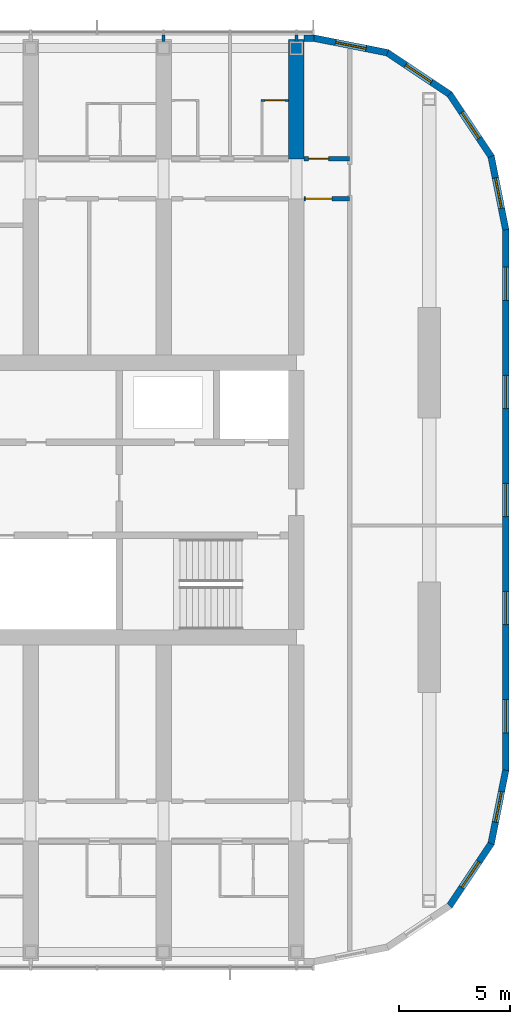
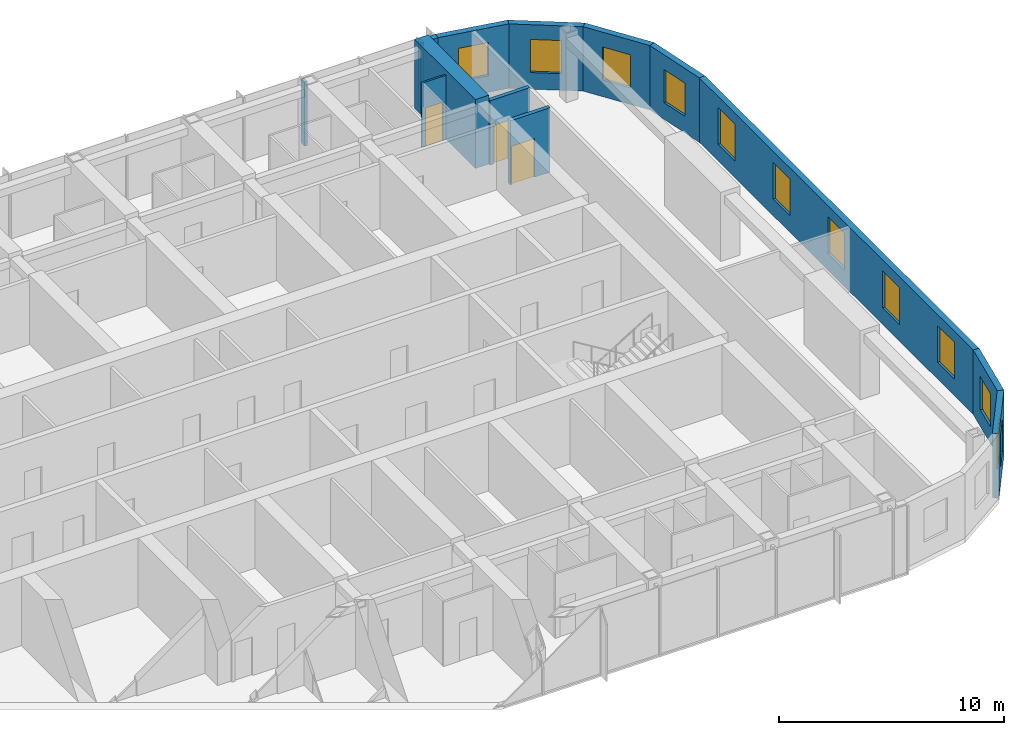
# One storey, part 18 of 23: 14 walls, 11 windows, 3 doors, 14 openings.
"""IFC4 building model written with IfcOpenShell, lengths in metres."""

from ifc_helpers import new_model, si_unit, direction, frame, frame_2d, origin, place, context, subcontext, project, spatial, polyline, rectangle, outline, extrude, material, layer, layer_set, type_object, element, fill, save


model = new_model("IFC4")

# Units and contexts
model_context = context("Model", 3, precision=1e-05, world=origin(), true_north=direction((0.0, 1.0)))
body_context = subcontext(model_context, "Body", "Model", "MODEL_VIEW")
ifc_project = project(units=[si_unit("LENGTHUNIT", "METRE"), si_unit("AREAUNIT", "SQUARE_METRE"), si_unit("VOLUMEUNIT", "CUBIC_METRE"), si_unit("PLANEANGLEUNIT", "RADIAN"), si_unit("MASSUNIT", "GRAM", prefix="KILO")], contexts=[model_context])

# Site, building, storey
site_placement = place(None, origin())
site = spatial("IfcSite", under=ifc_project, at=site_placement, CompositionType="ELEMENT")
building_placement = place(site_placement, origin())
building = spatial("IfcBuilding", under=site, at=building_placement, Name="Orbita Commons", CompositionType="ELEMENT")
storey_placement = place(building_placement, frame((0.0, 0.0, 250.300048828125)))
storey = spatial("IfcBuildingStorey", under=building, at=storey_placement, Name="L62", CompositionType="ELEMENT", Elevation=250.300048828125)

# Wall, opening, door
ifc_material_1 = material(Name="Concrete blockwork", Category="masonry")
ifc_layer_1 = layer(ifc_material_1, 0.199951171875)
ifc_layer_set_1 = layer_set([ifc_layer_1], Name="Concrete blockwork")
wall_type_1 = type_object("IfcWallType", Name="Corridor wall 200 blockwork", PredefinedType="SOLIDWALL", material=ifc_layer_set_1)
wall_1_placement = place(storey_placement, frame((66.35009765625, 47.39990234375, 0.0), z_axis=(0.0, 0.0, 1.0), x_axis=(1.0, 0.0, 0.0)))
wall_1 = element("IfcWall", 1, at=wall_1_placement, inside=storey, type_object=wall_type_1, Name="Corridor wall 200 blockwork L62", PredefinedType="SOLIDWALL", context=body_context, shape_type="SweptSolid", body=[
    extrude(rectangle(XDim=2.0498046875, YDim=0.199951171875, at=frame_2d((1.02490234375, 0.0))), origin(), (0.0, 0.0, 1.0), 3.5),
])
opening_1_placement = place(wall_1_placement, frame((0.199951171875, 0.0, 0.0)))
opening_1 = element("IfcOpeningElement", 2, at=opening_1_placement, cuts=wall_1, Name="Opening D05", PredefinedType="OPENING", context=body_context, shape_type="SweptSolid", body=[
    extrude(rectangle(XDim=0.89990234375, YDim=2.10009765625, at=frame_2d((0.449951171875, 1.050048828125))), frame((0.0, 0.10986328125, 0.0), z_axis=(0.0, -1.0, 0.0), x_axis=(1.0, 0.0, 0.0)), (0.0, 0.0, 1.0), 0.219970703125),
])
ifc_material_2 = material(Name="Steel-faced fire door leaf", Category="steel")
door_type_1 = type_object("IfcDoorType", Name="Service door 20 min 900x2100", OperationType="SINGLE_SWING_LEFT", PredefinedType="DOOR", material=ifc_material_2)
door_1_placement = place(opening_1_placement, origin())
door_1 = element("IfcDoor", 3, at=door_1_placement, inside=storey, type_object=door_type_1, Name="Linen store L62-KEN door", OperationType="SINGLE_SWING_LEFT", OverallHeight=2.10009765625, OverallWidth=0.89990234375, PredefinedType="DOOR", context=body_context, shape_type="SweptSolid", body=[
    extrude(rectangle(XDim=0.89990234375, YDim=2.10009765625, at=frame_2d((0.449951171875, 1.050048828125))), frame((0.0, 0.02490234375, 0.0), z_axis=(0.0, -1.0, 0.0), x_axis=(1.0, 0.0, 0.0)), (0.0, 0.0, 1.0), 0.050048828125),
])
fill(opening_1, door_1)

ifc_material_3 = material(Name="Hollow concrete block 200", Category="concrete")
ifc_layer_2 = layer(ifc_material_3, 0.199951171875)
ifc_layer_set_2 = layer_set([ifc_layer_2], Name="Hollow concrete block 200")
wall_type_2 = type_object("IfcWallType", Name="Corridor wall 200 hollow concrete block", PredefinedType="SOLIDWALL", material=ifc_layer_set_2)
wall_2_placement = place(storey_placement, frame((66.35009765625, 45.60009765625, 0.0), z_axis=(0.0, 0.0, 1.0), x_axis=(1.0, 0.0, 0.0)))
wall_2 = element("IfcWall", 4, at=wall_2_placement, inside=storey, type_object=wall_type_2, Name="Corridor wall 200 hollow concrete block L62", PredefinedType="SOLIDWALL", context=body_context, shape_type="SweptSolid", body=[
    extrude(rectangle(XDim=2.0498046875, YDim=0.199951171875, at=frame_2d((1.02490234375, 0.0))), origin(), (0.0, 0.0, 1.0), 3.5),
])
opening_2_placement = place(wall_2_placement, frame((0.050048828125, 0.0, 0.0)))
opening_2 = element("IfcOpeningElement", 5, at=opening_2_placement, cuts=wall_2, Name="Opening D12", PredefinedType="OPENING", context=body_context, shape_type="SweptSolid", body=[
    extrude(rectangle(XDim=1.199951171875, YDim=2.10009765625, at=frame_2d((0.60009765625, 1.050048828125))), frame((0.0, 0.10986328125, 0.0), z_axis=(0.0, -1.0, 0.0), x_axis=(1.0, 0.0, 0.0)), (0.0, 0.0, 1.0), 0.219970703125),
])
ifc_material_4 = material(Name="Steel-faced fire door leaf", Category="steel")
door_type_2 = type_object("IfcDoorType", Name="Double corridor door 20 min 1200x2100", OperationType="DOUBLE_DOOR_SINGLE_SWING", PredefinedType="DOOR", material=ifc_material_4)
door_2_placement = place(opening_2_placement, origin())
door_2 = element("IfcDoor", 6, at=door_2_placement, inside=storey, type_object=door_type_2, Name="Cross corridor doors", OperationType="DOUBLE_DOOR_SINGLE_SWING", OverallHeight=2.10009765625, OverallWidth=1.199951171875, PredefinedType="DOOR", context=body_context, shape_type="SweptSolid", body=[
    extrude(rectangle(XDim=1.199951171875, YDim=2.10009765625, at=frame_2d((0.60009765625, 1.050048828125))), frame((0.0, 0.02490234375, 0.0), z_axis=(0.0, -1.0, 0.0), x_axis=(1.0, 0.0, 0.0)), (0.0, 0.0, 1.0), 0.050048828125),
])
fill(opening_2, door_2)

# Wall
ifc_material_5 = material(Name="Concrete C50/60", Category="concrete")
ifc_layer_3 = layer(ifc_material_5, 0.699951171875)
ifc_layer_set_3 = layer_set([ifc_layer_3], Name="Concrete C50/60")
wall_type_3 = type_object("IfcWallType", Name="Cross wall 700 C50/60", PredefinedType="SHEAR", material=ifc_layer_set_3)
wall_3_placement = place(storey_placement, frame((66.0, 47.39990234375, 0.0), z_axis=(0.0, 0.0, 1.0), x_axis=(0.0, 1.0, 0.0)))
element("IfcWall", 7, at=wall_3_placement, inside=storey, type_object=wall_type_3, Name="Cross wall 12 north outer L62", PredefinedType="SHEAR", context=body_context, shape_type="SweptSolid", body=[
    extrude(rectangle(XDim=5.400146484375, YDim=0.699951171875, at=frame_2d((2.7001953125, 0.0))), origin(), (0.0, 0.0, 1.0), 3.75),
])

# Wall, opening, door
ifc_material_6 = material(Name="Moisture-resistant plasterboard on steel studs", Category="steel")
ifc_layer_4 = layer(ifc_material_6, 0.10009765625)
ifc_layer_set_4 = layer_set([ifc_layer_4], Name="Moisture-resistant plasterboard on steel studs")
wall_type_4 = type_object("IfcWallType", Name="En-suite partition 100", PredefinedType="PARTITIONING", material=ifc_layer_set_4)
wall_4_placement = place(storey_placement, frame((64.39990234375, 50.041748046875, 0.0), z_axis=(0.0, 0.0, 1.0), x_axis=(1.0, 0.0, 0.0)))
wall_4 = element("IfcWall", 8, at=wall_4_placement, inside=storey, type_object=wall_type_4, Name="En-suite partition 100 L62", PredefinedType="PARTITIONING", context=body_context, shape_type="SweptSolid", body=[
    extrude(rectangle(XDim=1.25, YDim=0.10009765625, at=frame_2d((0.625, 0.0))), origin(), (0.0, 0.0, 1.0), 3.5),
])
opening_3_placement = place(wall_4_placement, frame((0.175048828125, 0.0, 0.0)))
opening_3 = element("IfcOpeningElement", 9, at=opening_3_placement, cuts=wall_4, Name="Opening D09", PredefinedType="OPENING", context=body_context, shape_type="SweptSolid", body=[
    extrude(rectangle(XDim=0.89990234375, YDim=2.10009765625, at=frame_2d((0.449951171875, 1.050048828125))), frame((0.0, 0.06005859375, 0.0), z_axis=(0.0, -1.0, 0.0), x_axis=(1.0, 0.0, 0.0)), (0.0, 0.0, 1.0), 0.1201171875),
])
ifc_material_7 = material(Name="Laminated timber door leaf", Category="wood")
door_type_3 = type_object("IfcDoorType", Name="En-suite door 900x2100", OperationType="SINGLE_SWING_RIGHT", PredefinedType="DOOR", material=ifc_material_7)
door_3_placement = place(opening_3_placement, origin())
door_3 = element("IfcDoor", 10, at=door_3_placement, inside=storey, type_object=door_type_3, Name="En-suite L62-N15 door", OperationType="SINGLE_SWING_RIGHT", OverallHeight=2.10009765625, OverallWidth=0.89990234375, PredefinedType="DOOR", context=body_context, shape_type="SweptSolid", body=[
    extrude(rectangle(XDim=0.89990234375, YDim=2.10009765625, at=frame_2d((0.449951171875, 1.050048828125))), frame((0.0, 0.02490234375, 0.0), z_axis=(0.0, -1.0, 0.0), x_axis=(1.0, 0.0, 0.0)), (0.0, 0.0, 1.0), 0.050048828125),
])
fill(opening_3, door_3)

# Walls
ifc_material_8 = material(Name="Gypsum plasterboard on steel studs", Category="steel")
ifc_layer_5 = layer(ifc_material_8, 0.14990234375)
ifc_layer_set_5 = layer_set([ifc_layer_5], Name="Gypsum plasterboard on steel studs")
wall_type_5 = type_object("IfcWallType", Name="Partition 150 plasterboard", PredefinedType="PARTITIONING", material=ifc_layer_set_5)
for number, where, z_axis, x_axis, name in (
    (11, (60.0, 52.699951171875, 0.0), (0.0, 0.0, 1.0), (0.0, 1.0, 0.0), "Partition 150 plasterboard L62"),
    (12, (66.0, 52.699951171875, 0.0), (0.0, 0.0, 1.0), (0.0, 1.0, 0.0), "Partition 150 plasterboard L62"),
):
    element("IfcWall", number, at=place(storey_placement, frame(where, z_axis=z_axis, x_axis=x_axis)), inside=storey, type_object=wall_type_5, Name=name, PredefinedType="PARTITIONING", context=body_context, shape_type="SweptSolid", body=[
        extrude(rectangle(XDim=0.2900390625, YDim=0.14990234375, at=frame_2d((0.14501953125, 0.0))), origin(), (0.0, 0.0, 1.0), 3.5),
    ])

# Wall, openings, windows
ifc_material_9 = material(Name="Precast concrete C40/50, white board-marked finish", Category="concrete")
ifc_layer_6 = layer(ifc_material_9, 0.300048828125)
ifc_layer_set_6 = layer_set([ifc_layer_6], Name="Precast concrete C40/50, white board-marked finish")
wall_type_6 = type_object("IfcWallType", Name="Precast concrete end shield 300", PredefinedType="SOLIDWALL", material=ifc_layer_set_6)
wall_5_placement = place(storey_placement, frame((75.449951171875, 19.800048828125, 0.0), z_axis=(0.0, 0.0, 1.0), x_axis=(0.0, 1.0, 0.0)))
wall_5 = element("IfcWall", 13, at=wall_5_placement, inside=storey, type_object=wall_type_6, Name="End shield E L62", PredefinedType="SOLIDWALL", context=body_context, shape_type="SweptSolid", body=[
    extrude(outline(polyline([(-0.014892578125, -0.14990234375), (24.414794921875, -0.14990234375), (24.385009765625, 0.14990234375), (0.014892578125, 0.14990234375), (-0.014892578125, -0.14990234375)])), origin(), (0.0, 0.0, 1.0), 3.5),
])
opening_4_placement = place(wall_5_placement, frame((1.68994140625, 0.0, 0.89990234375)))
opening_4 = element("IfcOpeningElement", 14, at=opening_4_placement, cuts=wall_5, Name="Opening W01", PredefinedType="OPENING", context=body_context, shape_type="SweptSolid", body=[
    extrude(rectangle(XDim=1.5, YDim=2.0, at=frame_2d((0.75, 1.0))), frame((0.0, 0.159912109375, 0.0), z_axis=(0.0, -1.0, 0.0), x_axis=(1.0, 0.0, 0.0)), (0.0, 0.0, 1.0), 0.320068359375),
])
opening_5_placement = place(wall_5_placement, frame((6.570068359375, 0.0, 0.89990234375)))
opening_5 = element("IfcOpeningElement", 15, at=opening_5_placement, cuts=wall_5, Name="Opening W01", PredefinedType="OPENING", context=body_context, shape_type="SweptSolid", body=[
    extrude(rectangle(XDim=1.5, YDim=2.0, at=frame_2d((0.75, 1.0))), frame((0.0, 0.159912109375, 0.0), z_axis=(0.0, -1.0, 0.0), x_axis=(1.0, 0.0, 0.0)), (0.0, 0.0, 1.0), 0.320068359375),
])
opening_6_placement = place(wall_5_placement, frame((11.449951171875, 0.0, 0.89990234375)))
opening_6 = element("IfcOpeningElement", 16, at=opening_6_placement, cuts=wall_5, Name="Opening W01", PredefinedType="OPENING", context=body_context, shape_type="SweptSolid", body=[
    extrude(rectangle(XDim=1.5, YDim=2.0, at=frame_2d((0.75, 1.0))), frame((0.0, 0.159912109375, 0.0), z_axis=(0.0, -1.0, 0.0), x_axis=(1.0, 0.0, 0.0)), (0.0, 0.0, 1.0), 0.320068359375),
])
opening_7_placement = place(wall_5_placement, frame((16.330078125, 0.0, 0.89990234375)))
opening_7 = element("IfcOpeningElement", 17, at=opening_7_placement, cuts=wall_5, Name="Opening W01", PredefinedType="OPENING", context=body_context, shape_type="SweptSolid", body=[
    extrude(rectangle(XDim=1.5, YDim=2.0, at=frame_2d((0.75, 1.0))), frame((0.0, 0.159912109375, 0.0), z_axis=(0.0, -1.0, 0.0), x_axis=(1.0, 0.0, 0.0)), (0.0, 0.0, 1.0), 0.320068359375),
])
opening_8_placement = place(wall_5_placement, frame((21.2099609375, 0.0, 0.89990234375)))
opening_8 = element("IfcOpeningElement", 18, at=opening_8_placement, cuts=wall_5, Name="Opening W01", PredefinedType="OPENING", context=body_context, shape_type="SweptSolid", body=[
    extrude(rectangle(XDim=1.5, YDim=2.0, at=frame_2d((0.75, 1.0))), frame((0.0, 0.159912109375, 0.0), z_axis=(0.0, -1.0, 0.0), x_axis=(1.0, 0.0, 0.0)), (0.0, 0.0, 1.0), 0.320068359375),
])
ifc_material_10 = material(Name="Aluminium frame, clear double glazing", Category="aluminium")
window_type_1 = type_object("IfcWindowType", Name="Deep-set window 1500x2000", PartitioningType="SINGLE_PANEL", PredefinedType="WINDOW", material=ifc_material_10)
window_1_placement = place(opening_4_placement, origin())
window_1 = element("IfcWindow", 19, at=window_1_placement, inside=storey, type_object=window_type_1, Name="Window L62-E 1", OverallHeight=2.0, OverallWidth=1.5, PartitioningType="SINGLE_PANEL", PredefinedType="WINDOW", context=body_context, shape_type="SweptSolid", body=[
    extrude(rectangle(XDim=1.5, YDim=2.0, at=frame_2d((0.75, 1.0))), frame((0.0, 0.030029296875, 0.0), z_axis=(0.0, -1.0, 0.0), x_axis=(1.0, 0.0, 0.0)), (0.0, 0.0, 1.0), 0.06005859375),
])
fill(opening_4, window_1)
window_2_placement = place(opening_5_placement, origin())
window_2 = element("IfcWindow", 20, at=window_2_placement, inside=storey, type_object=window_type_1, Name="Window L62-E 2", OverallHeight=2.0, OverallWidth=1.5, PartitioningType="SINGLE_PANEL", PredefinedType="WINDOW", context=body_context, shape_type="SweptSolid", body=[
    extrude(rectangle(XDim=1.5, YDim=2.0, at=frame_2d((0.75, 1.0))), frame((0.0, 0.030029296875, 0.0), z_axis=(0.0, -1.0, 0.0), x_axis=(1.0, 0.0, 0.0)), (0.0, 0.0, 1.0), 0.06005859375),
])
fill(opening_5, window_2)
window_3_placement = place(opening_6_placement, origin())
window_3 = element("IfcWindow", 21, at=window_3_placement, inside=storey, type_object=window_type_1, Name="Window L62-E 3", OverallHeight=2.0, OverallWidth=1.5, PartitioningType="SINGLE_PANEL", PredefinedType="WINDOW", context=body_context, shape_type="SweptSolid", body=[
    extrude(rectangle(XDim=1.5, YDim=2.0, at=frame_2d((0.75, 1.0))), frame((0.0, 0.030029296875, 0.0), z_axis=(0.0, -1.0, 0.0), x_axis=(1.0, 0.0, 0.0)), (0.0, 0.0, 1.0), 0.06005859375),
])
fill(opening_6, window_3)
window_4_placement = place(opening_7_placement, origin())
window_4 = element("IfcWindow", 22, at=window_4_placement, inside=storey, type_object=window_type_1, Name="Window L62-E 4", OverallHeight=2.0, OverallWidth=1.5, PartitioningType="SINGLE_PANEL", PredefinedType="WINDOW", context=body_context, shape_type="SweptSolid", body=[
    extrude(rectangle(XDim=1.5, YDim=2.0, at=frame_2d((0.75, 1.0))), frame((0.0, 0.030029296875, 0.0), z_axis=(0.0, -1.0, 0.0), x_axis=(1.0, 0.0, 0.0)), (0.0, 0.0, 1.0), 0.06005859375),
])
fill(opening_7, window_4)
window_5_placement = place(opening_8_placement, origin())
window_5 = element("IfcWindow", 23, at=window_5_placement, inside=storey, type_object=window_type_1, Name="Window L62-E 5", OverallHeight=2.0, OverallWidth=1.5, PartitioningType="SINGLE_PANEL", PredefinedType="WINDOW", context=body_context, shape_type="SweptSolid", body=[
    extrude(rectangle(XDim=1.5, YDim=2.0, at=frame_2d((0.75, 1.0))), frame((0.0, 0.030029296875, 0.0), z_axis=(0.0, -1.0, 0.0), x_axis=(1.0, 0.0, 0.0)), (0.0, 0.0, 1.0), 0.06005859375),
])
fill(opening_8, window_5)

# Wall, opening, window
wall_6_placement = place(storey_placement, frame((72.91650390625, 13.68359375, 0.0), z_axis=(0.0, 0.0, 1.0), x_axis=(0.555567969291, 0.831471124873, 0.0)))
wall_6 = element("IfcWall", 24, at=wall_6_placement, inside=storey, type_object=wall_type_6, Name="End shield SE chord 3 L62", PredefinedType="SOLIDWALL", context=body_context, shape_type="SweptSolid", body=[
    extrude(outline(polyline([(-0.02978515625, -0.14990234375), (3.40478515625, -0.14990234375), (3.34521484375, 0.14990234375), (0.02978515625, 0.14990234375), (-0.02978515625, -0.14990234375)])), origin(), (0.0, 0.0, 1.0), 3.5),
])
opening_9_placement = place(wall_6_placement, frame((0.987548828125, 0.0, 0.89990234375)))
opening_9 = element("IfcOpeningElement", 25, at=opening_9_placement, cuts=wall_6, Name="Opening W02", PredefinedType="OPENING", context=body_context, shape_type="SweptSolid", body=[
    extrude(rectangle(XDim=1.39990234375, YDim=1.800048828125, at=frame_2d((0.699951171875, 0.89990234375))), frame((0.0, 0.159912109375, 0.0), z_axis=(0.0, -1.0, 0.0), x_axis=(1.0, 0.0, 0.0)), (0.0, 0.0, 1.0), 0.320068359375),
])
ifc_material_11 = material(Name="Aluminium frame, clear double glazing", Category="aluminium")
window_type_2 = type_object("IfcWindowType", Name="Deep-set window 1400x1800", PartitioningType="SINGLE_PANEL", PredefinedType="WINDOW", material=ifc_material_11)
window_6_placement = place(opening_9_placement, origin())
window_6 = element("IfcWindow", 26, at=window_6_placement, inside=storey, type_object=window_type_2, Name="Window L62-SE2", OverallHeight=1.800048828125, OverallWidth=1.39990234375, PartitioningType="SINGLE_PANEL", PredefinedType="WINDOW", context=body_context, shape_type="SweptSolid", body=[
    extrude(rectangle(XDim=1.39990234375, YDim=1.800048828125, at=frame_2d((0.699951171875, 0.89990234375))), frame((0.0, 0.030029296875, 0.0), z_axis=(0.0, -1.0, 0.0), x_axis=(1.0, 0.0, 0.0)), (0.0, 0.0, 1.0), 0.06005859375),
])
fill(opening_9, window_6)

wall_7_placement = place(storey_placement, frame((74.79150390625, 16.48974609375, 0.0), z_axis=(0.0, 0.0, 1.0), x_axis=(0.19508664885, 0.980786011034, 0.0)))
wall_7 = element("IfcWall", 27, at=wall_7_placement, inside=storey, type_object=wall_type_6, Name="End shield SE chord 4 L62", PredefinedType="SOLIDWALL", context=body_context, shape_type="SweptSolid", body=[
    extrude(outline(polyline([(-0.02978515625, -0.14990234375), (3.39013671875, -0.14990234375), (3.3603515625, 0.14990234375), (0.02978515625, 0.14990234375), (-0.02978515625, -0.14990234375)])), origin(), (0.0, 0.0, 1.0), 3.5),
])
opening_10_placement = place(wall_7_placement, frame((0.987548828125, 0.0, 0.89990234375)))
opening_10 = element("IfcOpeningElement", 28, at=opening_10_placement, cuts=wall_7, Name="Opening W02", PredefinedType="OPENING", context=body_context, shape_type="SweptSolid", body=[
    extrude(rectangle(XDim=1.39990234375, YDim=1.800048828125, at=frame_2d((0.699951171875, 0.89990234375))), frame((0.0, 0.159912109375, 0.0), z_axis=(0.0, -1.0, 0.0), x_axis=(1.0, 0.0, 0.0)), (0.0, 0.0, 1.0), 0.320068359375),
])
window_7_placement = place(opening_10_placement, origin())
window_7 = element("IfcWindow", 29, at=window_7_placement, inside=storey, type_object=window_type_2, Name="Window L62-SE3", OverallHeight=1.800048828125, OverallWidth=1.39990234375, PartitioningType="SINGLE_PANEL", PredefinedType="WINDOW", context=body_context, shape_type="SweptSolid", body=[
    extrude(rectangle(XDim=1.39990234375, YDim=1.800048828125, at=frame_2d((0.699951171875, 0.89990234375))), frame((0.0, 0.030029296875, 0.0), z_axis=(0.0, -1.0, 0.0), x_axis=(1.0, 0.0, 0.0)), (0.0, 0.0, 1.0), 0.06005859375),
])
fill(opening_10, window_7)

wall_8_placement = place(storey_placement, frame((75.449951171875, 44.199951171875, 0.0), z_axis=(0.0, 0.0, 1.0), x_axis=(-0.19508664885, 0.980786011034, 0.0)))
wall_8 = element("IfcWall", 30, at=wall_8_placement, inside=storey, type_object=wall_type_6, Name="End shield NE chord 1 L62", PredefinedType="SOLIDWALL", context=body_context, shape_type="SweptSolid", body=[
    extrude(outline(polyline([(-0.014892578125, -0.14990234375), (3.405029296875, -0.14990234375), (3.345458984375, 0.14990234375), (0.014892578125, 0.14990234375), (-0.014892578125, -0.14990234375)])), origin(), (0.0, 0.0, 1.0), 3.5),
])
opening_11_placement = place(wall_8_placement, frame((0.987548828125, 0.0, 0.89990234375)))
opening_11 = element("IfcOpeningElement", 31, at=opening_11_placement, cuts=wall_8, Name="Opening W02", PredefinedType="OPENING", context=body_context, shape_type="SweptSolid", body=[
    extrude(rectangle(XDim=1.39990234375, YDim=1.800048828125, at=frame_2d((0.699951171875, 0.89990234375))), frame((0.0, 0.159912109375, 0.0), z_axis=(0.0, -1.0, 0.0), x_axis=(1.0, 0.0, 0.0)), (0.0, 0.0, 1.0), 0.320068359375),
])
window_8_placement = place(opening_11_placement, origin())
window_8 = element("IfcWindow", 32, at=window_8_placement, inside=storey, type_object=window_type_2, Name="Window L62-NE0", OverallHeight=1.800048828125, OverallWidth=1.39990234375, PartitioningType="SINGLE_PANEL", PredefinedType="WINDOW", context=body_context, shape_type="SweptSolid", body=[
    extrude(rectangle(XDim=1.39990234375, YDim=1.800048828125, at=frame_2d((0.699951171875, 0.89990234375))), frame((0.0, 0.030029296875, 0.0), z_axis=(0.0, -1.0, 0.0), x_axis=(1.0, 0.0, 0.0)), (0.0, 0.0, 1.0), 0.06005859375),
])
fill(opening_11, window_8)

wall_9_placement = place(storey_placement, frame((74.79150390625, 47.51025390625, 0.0), z_axis=(0.0, 0.0, 1.0), x_axis=(-0.555567969291, 0.831471124873, 0.0)))
wall_9 = element("IfcWall", 33, at=wall_9_placement, inside=storey, type_object=wall_type_6, Name="End shield NE chord 2 L62", PredefinedType="SOLIDWALL", context=body_context, shape_type="SweptSolid", body=[
    extrude(outline(polyline([(-0.02978515625, -0.14990234375), (3.40478515625, -0.14990234375), (3.34521484375, 0.14990234375), (0.02978515625, 0.14990234375), (-0.02978515625, -0.14990234375)])), origin(), (0.0, 0.0, 1.0), 3.5),
])
opening_12_placement = place(wall_9_placement, frame((0.987548828125, 0.0, 0.89990234375)))
opening_12 = element("IfcOpeningElement", 34, at=opening_12_placement, cuts=wall_9, Name="Opening W02", PredefinedType="OPENING", context=body_context, shape_type="SweptSolid", body=[
    extrude(rectangle(XDim=1.39990234375, YDim=1.800048828125, at=frame_2d((0.699951171875, 0.89990234375))), frame((0.0, 0.159912109375, 0.0), z_axis=(0.0, -1.0, 0.0), x_axis=(1.0, 0.0, 0.0)), (0.0, 0.0, 1.0), 0.320068359375),
])
window_9_placement = place(opening_12_placement, origin())
window_9 = element("IfcWindow", 35, at=window_9_placement, inside=storey, type_object=window_type_2, Name="Window L62-NE1", OverallHeight=1.800048828125, OverallWidth=1.39990234375, PartitioningType="SINGLE_PANEL", PredefinedType="WINDOW", context=body_context, shape_type="SweptSolid", body=[
    extrude(rectangle(XDim=1.39990234375, YDim=1.800048828125, at=frame_2d((0.699951171875, 0.89990234375))), frame((0.0, 0.030029296875, 0.0), z_axis=(0.0, -1.0, 0.0), x_axis=(1.0, 0.0, 0.0)), (0.0, 0.0, 1.0), 0.06005859375),
])
fill(opening_12, window_9)

wall_10_placement = place(storey_placement, frame((72.91650390625, 50.31640625, 0.0), z_axis=(0.0, 0.0, 1.0), x_axis=(-0.831460037396, 0.555584562613, 0.0)))
wall_10 = element("IfcWall", 36, at=wall_10_placement, inside=storey, type_object=wall_type_6, Name="End shield NE chord 3 L62", PredefinedType="SOLIDWALL", context=body_context, shape_type="SweptSolid", body=[
    extrude(outline(polyline([(-0.02978515625, -0.14990234375), (3.405029296875, -0.14990234375), (3.345458984375, 0.14990234375), (0.02978515625, 0.14990234375), (-0.02978515625, -0.14990234375)])), origin(), (0.0, 0.0, 1.0), 3.5),
])
opening_13_placement = place(wall_10_placement, frame((0.987548828125, 0.0, 0.89990234375)))
opening_13 = element("IfcOpeningElement", 37, at=opening_13_placement, cuts=wall_10, Name="Opening W02", PredefinedType="OPENING", context=body_context, shape_type="SweptSolid", body=[
    extrude(rectangle(XDim=1.39990234375, YDim=1.800048828125, at=frame_2d((0.699951171875, 0.89990234375))), frame((0.0, 0.159912109375, 0.0), z_axis=(0.0, -1.0, 0.0), x_axis=(1.0, 0.0, 0.0)), (0.0, 0.0, 1.0), 0.320068359375),
])
window_10_placement = place(opening_13_placement, origin())
window_10 = element("IfcWindow", 38, at=window_10_placement, inside=storey, type_object=window_type_2, Name="Window L62-NE2", OverallHeight=1.800048828125, OverallWidth=1.39990234375, PartitioningType="SINGLE_PANEL", PredefinedType="WINDOW", context=body_context, shape_type="SweptSolid", body=[
    extrude(rectangle(XDim=1.39990234375, YDim=1.800048828125, at=frame_2d((0.699951171875, 0.89990234375))), frame((0.0, 0.030029296875, 0.0), z_axis=(0.0, -1.0, 0.0), x_axis=(1.0, 0.0, 0.0)), (0.0, 0.0, 1.0), 0.06005859375),
])
fill(opening_13, window_10)

wall_11_placement = place(storey_placement, frame((70.110107421875, 52.191650390625, 0.0), z_axis=(0.0, 0.0, 1.0), x_axis=(-0.98078325777, 0.195100490205, 0.0)))
wall_11 = element("IfcWall", 39, at=wall_11_placement, inside=storey, type_object=wall_type_6, Name="End shield NE chord 4 L62", PredefinedType="SOLIDWALL", context=body_context, shape_type="SweptSolid", body=[
    extrude(outline(polyline([(-0.02978515625, -0.14990234375), (3.40478515625, -0.14990234375), (3.34521484375, 0.14990234375), (0.02978515625, 0.14990234375), (-0.02978515625, -0.14990234375)])), origin(), (0.0, 0.0, 1.0), 3.5),
])
opening_14_placement = place(wall_11_placement, frame((0.987548828125, 0.0, 0.89990234375)))
opening_14 = element("IfcOpeningElement", 40, at=opening_14_placement, cuts=wall_11, Name="Opening W02", PredefinedType="OPENING", context=body_context, shape_type="SweptSolid", body=[
    extrude(rectangle(XDim=1.39990234375, YDim=1.800048828125, at=frame_2d((0.699951171875, 0.89990234375))), frame((0.0, 0.159912109375, 0.0), z_axis=(0.0, -1.0, 0.0), x_axis=(1.0, 0.0, 0.0)), (0.0, 0.0, 1.0), 0.320068359375),
])
window_11_placement = place(opening_14_placement, origin())
window_11 = element("IfcWindow", 41, at=window_11_placement, inside=storey, type_object=window_type_2, Name="Window L62-NE3", OverallHeight=1.800048828125, OverallWidth=1.39990234375, PartitioningType="SINGLE_PANEL", PredefinedType="WINDOW", context=body_context, shape_type="SweptSolid", body=[
    extrude(rectangle(XDim=1.39990234375, YDim=1.800048828125, at=frame_2d((0.699951171875, 0.89990234375))), frame((0.0, 0.030029296875, 0.0), z_axis=(0.0, -1.0, 0.0), x_axis=(1.0, 0.0, 0.0)), (0.0, 0.0, 1.0), 0.06005859375),
])
fill(opening_14, window_11)

# Wall
wall_12_placement = place(storey_placement, frame((66.800048828125, 52.85009765625, 0.0), z_axis=(0.0, 0.0, 1.0), x_axis=(-1.0, 0.0, 0.0)))
element("IfcWall", 42, at=wall_12_placement, inside=storey, type_object=wall_type_6, Name="End shield NE closer L62", PredefinedType="SOLIDWALL", context=body_context, shape_type="SweptSolid", body=[
    extrude(rectangle(XDim=0.449951171875, YDim=0.300048828125, at=frame_2d((0.22509765625, 0.0))), origin(), (0.0, 0.0, 1.0), 3.5),
])

save(model, "model.ifc")
